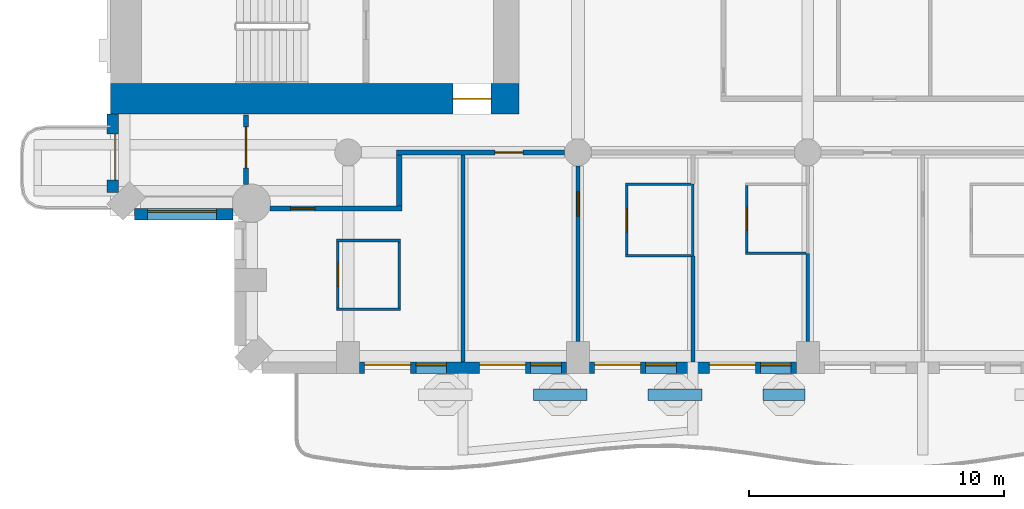
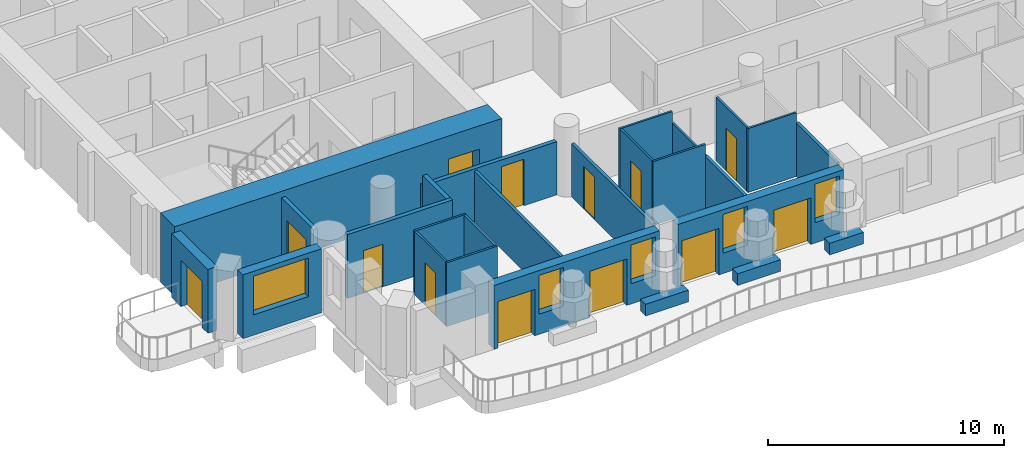
# One storey, part 3 of 20: 26 walls, 13 doors, 5 windows, 18 openings.
"""IFC4 building model written with IfcOpenShell, lengths in metres."""

from ifc_helpers import new_model, si_unit, direction, frame, frame_2d, origin, place, context, subcontext, project, spatial, rectangle, extrude, material, layer, layer_set, type_object, element, fill, save


model = new_model("IFC4")

# Units and contexts
model_context = context("Model", 3, precision=1e-05, world=origin(), true_north=direction((0.0, 1.0)))
body_context = subcontext(model_context, "Body", "Model", "MODEL_VIEW")
ifc_project = project(units=[si_unit("LENGTHUNIT", "METRE"), si_unit("AREAUNIT", "SQUARE_METRE"), si_unit("VOLUMEUNIT", "CUBIC_METRE"), si_unit("PLANEANGLEUNIT", "RADIAN"), si_unit("MASSUNIT", "GRAM", prefix="KILO")], contexts=[model_context])

# Site, building, storey
site_placement = place(None, origin())
site = spatial("IfcSite", under=ifc_project, at=site_placement, CompositionType="ELEMENT")
building_placement = place(site_placement, origin())
building = spatial("IfcBuilding", under=site, at=building_placement, Name="Cypress Arch Tower", CompositionType="ELEMENT")
storey_placement = place(building_placement, frame((0.0, 0.0, 113.10009765625)))
storey = spatial("IfcBuildingStorey", under=building, at=storey_placement, Name="L23", CompositionType="ELEMENT", Elevation=113.10009765625)

# Walls
ifc_material_1 = material(Name="Concrete C40/50, waterproofed", Category="concrete")
ifc_layer_1 = layer(ifc_material_1, 0.449951171875)
ifc_layer_set_1 = layer_set([ifc_layer_1], Name="Balcony planter wall PW450")
wall_type_1 = type_object("IfcWallType", Name="Balcony planter wall PW450", PredefinedType="SOLIDWALL", material=ifc_layer_set_1)
for number, where, z_axis, x_axis, name in (
    (1, (-13.449951171875, -27.0, 0.0), (0.0, 0.0, 1.0), (1.0, 0.0, 0.0), "Balcony planter wall L23-A03.2"),
    (2, (-8.949951171875, -27.0, 0.0), (0.0, 0.0, 1.0), (1.0, 0.0, 0.0), "Balcony planter wall L23-A03.3"),
):
    element("IfcWall", number, at=place(storey_placement, frame(where, z_axis=z_axis, x_axis=x_axis)), inside=storey, type_object=wall_type_1, Name=name, PredefinedType="SOLIDWALL", context=body_context, shape_type="SweptSolid", body=[
        extrude(rectangle(XDim=2.099853515625, YDim=0.449951171875, at=frame_2d((1.0498046875, 0.0))), origin(), (0.0, 0.0, 1.0), 0.599853515625),
    ])
wall_1_placement = place(storey_placement, frame((-4.449951171875, -27.0, 0.0), z_axis=(0.0, 0.0, 1.0), x_axis=(1.0, 0.0, 0.0)))
element("IfcWall", 3, at=wall_1_placement, inside=storey, type_object=wall_type_1, Name="Balcony planter wall L23-A03.4", PredefinedType="SOLIDWALL", context=body_context, shape_type="SweptSolid", body=[
    extrude(rectangle(XDim=1.64990234375, YDim=0.449951171875, at=frame_2d((0.824951171875, 0.0))), origin(), (0.0, 0.0, 1.0), 0.599853515625),
])

# Wall, opening, door
ifc_material_2 = material(Name="Brick (red buff blend)", Category="masonry")
ifc_layer_2 = layer(ifc_material_2, 0.449951171875)
ifc_layer_set_2 = layer_set([ifc_layer_2], Name="Brick pier and spandrel wall BW450")
wall_type_2 = type_object("IfcWallType", Name="Brick pier and spandrel wall BW450", PredefinedType="SOLIDWALL", material=ifc_layer_set_2)
wall_2_placement = place(storey_placement, frame((-29.925048828125, -16.0, 0.0), z_axis=(0.0, 0.0, 1.0), x_axis=(0.0, -1.0, 0.0)))
wall_2 = element("IfcWall", 4, at=wall_2_placement, inside=storey, type_object=wall_type_2, Name="Brick wall L23 A00.0.1", PredefinedType="SOLIDWALL", context=body_context, shape_type="SweptSolid", body=[
    extrude(rectangle(XDim=3.063720703125, YDim=0.449951171875, at=frame_2d((1.53173828125, 0.0))), origin(), (0.0, 0.0, 1.0), 3.2998046875),
])
opening_1_placement = place(wall_2_placement, frame((0.78173828125, 0.0, 0.0)))
opening_1 = element("IfcOpeningElement", 5, at=opening_1_placement, cuts=wall_2, Name="Opening D-L23-A00.0.1.9", PredefinedType="OPENING", context=body_context, shape_type="SweptSolid", body=[
    extrude(rectangle(XDim=1.800048828125, YDim=2.39990234375, at=frame_2d((0.89990234375, 1.199951171875))), frame((0.0, 0.23486328125, 0.0), z_axis=(0.0, -1.0, 0.0), x_axis=(1.0, 0.0, 0.0)), (0.0, 0.0, 1.0), 0.469970703125),
])
ifc_material_3 = material(Name="Anodised aluminium, bronze finish, laminated low-emissivity double glazing, large-missile impact rated", Category="aluminium")
door_type_1 = type_object("IfcDoorType", Name="Balcony sliding door 1800x2400", OperationType="SLIDING_TO_LEFT", PredefinedType="DOOR", material=ifc_material_3)
door_1_placement = place(opening_1_placement, origin())
door_1 = element("IfcDoor", 6, at=door_1_placement, inside=storey, type_object=door_type_1, Name="Balcony door L23 A00.0.1.9", OperationType="SLIDING_TO_LEFT", OverallHeight=2.39990234375, OverallWidth=1.800048828125, PredefinedType="DOOR", context=body_context, shape_type="SweptSolid", body=[
    extrude(rectangle(XDim=1.800048828125, YDim=2.39990234375, at=frame_2d((0.89990234375, 1.199951171875))), frame((0.0, 0.1298828125, 0.0), z_axis=(0.0, -1.0, 0.0), x_axis=(1.0, 0.0, 0.0)), (0.0, 0.0, 1.0), 0.050048828125),
])
fill(opening_1, door_1)

# Wall, opening, window
wall_3_placement = place(storey_placement, frame((-29.063720703125, -19.925048828125, 0.0), z_axis=(0.0, 0.0, 1.0), x_axis=(1.0, 0.0, 0.0)))
wall_3 = element("IfcWall", 7, at=wall_3_placement, inside=storey, type_object=wall_type_2, Name="Brick wall L23 A01.0", PredefinedType="SOLIDWALL", context=body_context, shape_type="SweptSolid", body=[
    extrude(rectangle(XDim=3.856689453125, YDim=0.449951171875, at=frame_2d((1.92822265625, 0.0))), origin(), (0.0, 0.0, 1.0), 3.2998046875),
])
opening_2_placement = place(wall_3_placement, frame((0.513671875, 0.0, 1.050048828125)))
opening_2 = element("IfcOpeningElement", 8, at=opening_2_placement, cuts=wall_3, Name="Opening W270H", PredefinedType="OPENING", context=body_context, shape_type="SweptSolid", body=[
    extrude(rectangle(XDim=2.699951171875, YDim=2.0, at=frame_2d((1.35009765625, 1.0))), frame((0.0, 0.23486328125, 0.0), z_axis=(0.0, -1.0, 0.0), x_axis=(1.0, 0.0, 0.0)), (0.0, 0.0, 1.0), 0.469970703125),
])
ifc_material_4 = material(Name="Anodised aluminium, bronze finish, clear low-emissivity double glazing", Category="aluminium")
window_type_1 = type_object("IfcWindowType", Name="Window Hotel 2700x2000", PartitioningType="SINGLE_PANEL", PredefinedType="WINDOW", material=ifc_material_4)
window_1_placement = place(opening_2_placement, origin())
window_1 = element("IfcWindow", 9, at=window_1_placement, inside=storey, type_object=window_type_1, Name="Window L23 A01.0.1", OverallHeight=2.0, OverallWidth=2.699951171875, PartitioningType="SINGLE_PANEL", PredefinedType="WINDOW", context=body_context, shape_type="SweptSolid", body=[
    extrude(rectangle(XDim=2.699951171875, YDim=2.0, at=frame_2d((1.35009765625, 1.0))), frame((0.0, 0.135009765625, 0.0), z_axis=(0.0, -1.0, 0.0), x_axis=(1.0, 0.0, 0.0)), (0.0, 0.0, 1.0), 0.06005859375),
])
fill(opening_2, window_1)

# Wall, openings, doors, windows
wall_4_placement = place(storey_placement, frame((-20.25, -25.925048828125, 0.0), z_axis=(0.0, 0.0, 1.0), x_axis=(1.0, 0.0, 0.0)))
wall_4 = element("IfcWall", 10, at=wall_4_placement, inside=storey, type_object=wall_type_2, Name="Brick wall L23 A03.1", PredefinedType="SOLIDWALL", context=body_context, shape_type="SweptSolid", body=[
    extrude(rectangle(XDim=8.10009765625, YDim=0.449951171875, at=frame_2d((4.050048828125, 0.0))), origin(), (0.0, 0.0, 1.0), 3.2998046875),
])
opening_3_placement = place(wall_4_placement, frame((0.199951171875, 0.0, 0.0)))
opening_3 = element("IfcOpeningElement", 11, at=opening_3_placement, cuts=wall_4, Name="Opening D-L23-A03.1.1", PredefinedType="OPENING", context=body_context, shape_type="SweptSolid", body=[
    extrude(rectangle(XDim=1.800048828125, YDim=2.39990234375, at=frame_2d((0.89990234375, 1.199951171875))), frame((0.0, 0.23486328125, 0.0), z_axis=(0.0, -1.0, 0.0), x_axis=(1.0, 0.0, 0.0)), (0.0, 0.0, 1.0), 0.469970703125),
])
opening_4_placement = place(wall_4_placement, frame((2.199951171875, 0.0, 1.050048828125)))
opening_4 = element("IfcOpeningElement", 12, at=opening_4_placement, cuts=wall_4, Name="Opening W120HD", PredefinedType="OPENING", context=body_context, shape_type="SweptSolid", body=[
    extrude(rectangle(XDim=1.199951171875, YDim=2.0, at=frame_2d((0.60009765625, 1.0))), frame((0.0, 0.23486328125, 0.0), z_axis=(0.0, -1.0, 0.0), x_axis=(1.0, 0.0, 0.0)), (0.0, 0.0, 1.0), 0.469970703125),
])
opening_5_placement = place(wall_4_placement, frame((4.699951171875, 0.0, 0.0)))
opening_5 = element("IfcOpeningElement", 13, at=opening_5_placement, cuts=wall_4, Name="Opening D-L23-A03.1.2", PredefinedType="OPENING", context=body_context, shape_type="SweptSolid", body=[
    extrude(rectangle(XDim=1.800048828125, YDim=2.39990234375, at=frame_2d((0.89990234375, 1.199951171875))), frame((0.0, 0.23486328125, 0.0), z_axis=(0.0, -1.0, 0.0), x_axis=(1.0, 0.0, 0.0)), (0.0, 0.0, 1.0), 0.469970703125),
])
opening_6_placement = place(wall_4_placement, frame((6.699951171875, 0.0, 1.050048828125)))
opening_6 = element("IfcOpeningElement", 14, at=opening_6_placement, cuts=wall_4, Name="Opening W120HD", PredefinedType="OPENING", context=body_context, shape_type="SweptSolid", body=[
    extrude(rectangle(XDim=1.199951171875, YDim=2.0, at=frame_2d((0.60009765625, 1.0))), frame((0.0, 0.23486328125, 0.0), z_axis=(0.0, -1.0, 0.0), x_axis=(1.0, 0.0, 0.0)), (0.0, 0.0, 1.0), 0.469970703125),
])
door_2_placement = place(opening_3_placement, origin())
door_2 = element("IfcDoor", 15, at=door_2_placement, inside=storey, type_object=door_type_1, Name="Balcony door L23 A03.1.1", OperationType="SLIDING_TO_LEFT", OverallHeight=2.39990234375, OverallWidth=1.800048828125, PredefinedType="DOOR", context=body_context, shape_type="SweptSolid", body=[
    extrude(rectangle(XDim=1.800048828125, YDim=2.39990234375, at=frame_2d((0.89990234375, 1.199951171875))), frame((0.0, 0.1298828125, 0.0), z_axis=(0.0, -1.0, 0.0), x_axis=(1.0, 0.0, 0.0)), (0.0, 0.0, 1.0), 0.050048828125),
])
fill(opening_3, door_2)
door_3_placement = place(opening_5_placement, origin())
door_3 = element("IfcDoor", 16, at=door_3_placement, inside=storey, type_object=door_type_1, Name="Balcony door L23 A03.1.2", OperationType="SLIDING_TO_LEFT", OverallHeight=2.39990234375, OverallWidth=1.800048828125, PredefinedType="DOOR", context=body_context, shape_type="SweptSolid", body=[
    extrude(rectangle(XDim=1.800048828125, YDim=2.39990234375, at=frame_2d((0.89990234375, 1.199951171875))), frame((0.0, 0.1298828125, 0.0), z_axis=(0.0, -1.0, 0.0), x_axis=(1.0, 0.0, 0.0)), (0.0, 0.0, 1.0), 0.050048828125),
])
fill(opening_5, door_3)
ifc_material_5 = material(Name="Anodised aluminium, bronze finish, laminated low-emissivity double glazing, large-missile impact rated", Category="aluminium")
window_type_2 = type_object("IfcWindowType", Name="Window Hotel 1200x2000 debris-rated", PartitioningType="SINGLE_PANEL", PredefinedType="WINDOW", material=ifc_material_5)
window_2_placement = place(opening_4_placement, origin())
window_2 = element("IfcWindow", 17, at=window_2_placement, inside=storey, type_object=window_type_2, Name="Window L23 A03.1.1", OverallHeight=2.0, OverallWidth=1.199951171875, PartitioningType="SINGLE_PANEL", PredefinedType="WINDOW", context=body_context, shape_type="SweptSolid", body=[
    extrude(rectangle(XDim=1.199951171875, YDim=2.0, at=frame_2d((0.60009765625, 1.0))), frame((0.0, 0.135009765625, 0.0), z_axis=(0.0, -1.0, 0.0), x_axis=(1.0, 0.0, 0.0)), (0.0, 0.0, 1.0), 0.06005859375),
])
fill(opening_4, window_2)
window_3_placement = place(opening_6_placement, origin())
window_3 = element("IfcWindow", 18, at=window_3_placement, inside=storey, type_object=window_type_2, Name="Window L23 A03.1.2", OverallHeight=2.0, OverallWidth=1.199951171875, PartitioningType="SINGLE_PANEL", PredefinedType="WINDOW", context=body_context, shape_type="SweptSolid", body=[
    extrude(rectangle(XDim=1.199951171875, YDim=2.0, at=frame_2d((0.60009765625, 1.0))), frame((0.0, 0.135009765625, 0.0), z_axis=(0.0, -1.0, 0.0), x_axis=(1.0, 0.0, 0.0)), (0.0, 0.0, 1.0), 0.06005859375),
])
fill(opening_6, window_3)

wall_5_placement = place(storey_placement, frame((-11.25, -25.925048828125, 0.0), z_axis=(0.0, 0.0, 1.0), x_axis=(1.0, 0.0, 0.0)))
wall_5 = element("IfcWall", 19, at=wall_5_placement, inside=storey, type_object=wall_type_2, Name="Brick wall L23 A03.2", PredefinedType="SOLIDWALL", context=body_context, shape_type="SweptSolid", body=[
    extrude(rectangle(XDim=8.10009765625, YDim=0.449951171875, at=frame_2d((4.050048828125, 0.0))), origin(), (0.0, 0.0, 1.0), 3.2998046875),
])
opening_7_placement = place(wall_5_placement, frame((0.199951171875, 0.0, 0.0)))
opening_7 = element("IfcOpeningElement", 20, at=opening_7_placement, cuts=wall_5, Name="Opening D-L23-A03.2.1", PredefinedType="OPENING", context=body_context, shape_type="SweptSolid", body=[
    extrude(rectangle(XDim=1.800048828125, YDim=2.39990234375, at=frame_2d((0.89990234375, 1.199951171875))), frame((0.0, 0.23486328125, 0.0), z_axis=(0.0, -1.0, 0.0), x_axis=(1.0, 0.0, 0.0)), (0.0, 0.0, 1.0), 0.469970703125),
])
opening_8_placement = place(wall_5_placement, frame((2.199951171875, 0.0, 1.050048828125)))
opening_8 = element("IfcOpeningElement", 21, at=opening_8_placement, cuts=wall_5, Name="Opening W120HD", PredefinedType="OPENING", context=body_context, shape_type="SweptSolid", body=[
    extrude(rectangle(XDim=1.199951171875, YDim=2.0, at=frame_2d((0.60009765625, 1.0))), frame((0.0, 0.23486328125, 0.0), z_axis=(0.0, -1.0, 0.0), x_axis=(1.0, 0.0, 0.0)), (0.0, 0.0, 1.0), 0.469970703125),
])
opening_9_placement = place(wall_5_placement, frame((4.699951171875, 0.0, 0.0)))
opening_9 = element("IfcOpeningElement", 22, at=opening_9_placement, cuts=wall_5, Name="Opening D-L23-A03.2.2", PredefinedType="OPENING", context=body_context, shape_type="SweptSolid", body=[
    extrude(rectangle(XDim=1.800048828125, YDim=2.39990234375, at=frame_2d((0.89990234375, 1.199951171875))), frame((0.0, 0.23486328125, 0.0), z_axis=(0.0, -1.0, 0.0), x_axis=(1.0, 0.0, 0.0)), (0.0, 0.0, 1.0), 0.469970703125),
])
opening_10_placement = place(wall_5_placement, frame((6.699951171875, 0.0, 1.050048828125)))
opening_10 = element("IfcOpeningElement", 23, at=opening_10_placement, cuts=wall_5, Name="Opening W120HD", PredefinedType="OPENING", context=body_context, shape_type="SweptSolid", body=[
    extrude(rectangle(XDim=1.199951171875, YDim=2.0, at=frame_2d((0.60009765625, 1.0))), frame((0.0, 0.23486328125, 0.0), z_axis=(0.0, -1.0, 0.0), x_axis=(1.0, 0.0, 0.0)), (0.0, 0.0, 1.0), 0.469970703125),
])
door_4_placement = place(opening_7_placement, origin())
door_4 = element("IfcDoor", 24, at=door_4_placement, inside=storey, type_object=door_type_1, Name="Balcony door L23 A03.2.1", OperationType="SLIDING_TO_LEFT", OverallHeight=2.39990234375, OverallWidth=1.800048828125, PredefinedType="DOOR", context=body_context, shape_type="SweptSolid", body=[
    extrude(rectangle(XDim=1.800048828125, YDim=2.39990234375, at=frame_2d((0.89990234375, 1.199951171875))), frame((0.0, 0.1298828125, 0.0), z_axis=(0.0, -1.0, 0.0), x_axis=(1.0, 0.0, 0.0)), (0.0, 0.0, 1.0), 0.050048828125),
])
fill(opening_7, door_4)
door_5_placement = place(opening_9_placement, origin())
door_5 = element("IfcDoor", 25, at=door_5_placement, inside=storey, type_object=door_type_1, Name="Balcony door L23 A03.2.2", OperationType="SLIDING_TO_LEFT", OverallHeight=2.39990234375, OverallWidth=1.800048828125, PredefinedType="DOOR", context=body_context, shape_type="SweptSolid", body=[
    extrude(rectangle(XDim=1.800048828125, YDim=2.39990234375, at=frame_2d((0.89990234375, 1.199951171875))), frame((0.0, 0.1298828125, 0.0), z_axis=(0.0, -1.0, 0.0), x_axis=(1.0, 0.0, 0.0)), (0.0, 0.0, 1.0), 0.050048828125),
])
fill(opening_9, door_5)
window_4_placement = place(opening_8_placement, origin())
window_4 = element("IfcWindow", 26, at=window_4_placement, inside=storey, type_object=window_type_2, Name="Window L23 A03.2.1", OverallHeight=2.0, OverallWidth=1.199951171875, PartitioningType="SINGLE_PANEL", PredefinedType="WINDOW", context=body_context, shape_type="SweptSolid", body=[
    extrude(rectangle(XDim=1.199951171875, YDim=2.0, at=frame_2d((0.60009765625, 1.0))), frame((0.0, 0.135009765625, 0.0), z_axis=(0.0, -1.0, 0.0), x_axis=(1.0, 0.0, 0.0)), (0.0, 0.0, 1.0), 0.06005859375),
])
fill(opening_8, window_4)
window_5_placement = place(opening_10_placement, origin())
window_5 = element("IfcWindow", 27, at=window_5_placement, inside=storey, type_object=window_type_2, Name="Window L23 A03.2.2", OverallHeight=2.0, OverallWidth=1.199951171875, PartitioningType="SINGLE_PANEL", PredefinedType="WINDOW", context=body_context, shape_type="SweptSolid", body=[
    extrude(rectangle(XDim=1.199951171875, YDim=2.0, at=frame_2d((0.60009765625, 1.0))), frame((0.0, 0.135009765625, 0.0), z_axis=(0.0, -1.0, 0.0), x_axis=(1.0, 0.0, 0.0)), (0.0, 0.0, 1.0), 0.06005859375),
])
fill(opening_10, window_5)

# Wall, opening, door
ifc_material_6 = material(Name="Concrete C80/95", Category="concrete")
ifc_layer_3 = layer(ifc_material_6, 1.199951171875)
ifc_layer_set_3 = layer_set([ifc_layer_3], Name="Core wall CW1200 C80/95")
wall_type_3 = type_object("IfcWallType", Name="Core wall CW1200 C80/95", PredefinedType="SHEAR", material=ifc_layer_set_3)
wall_6_placement = place(storey_placement, frame((-30.0, -15.39990234375, 0.0), z_axis=(0.0, 0.0, 1.0), x_axis=(1.0, 0.0, 0.0)))
wall_6 = element("IfcWall", 28, at=wall_6_placement, inside=storey, type_object=wall_type_3, Name="Core wall", PredefinedType="SHEAR", context=body_context, shape_type="SweptSolid", body=[
    extrude(rectangle(XDim=16.0, YDim=1.199951171875, at=frame_2d((8.0, 0.0))), origin(), (0.0, 0.0, 1.0), 3.599853515625),
])
opening_11_placement = place(wall_6_placement, frame((13.39990234375, 0.0, 0.0)))
opening_11 = element("IfcOpeningElement", 29, at=opening_11_placement, cuts=wall_6, Name="Opening D07", PredefinedType="OPENING", context=body_context, shape_type="SweptSolid", body=[
    extrude(rectangle(XDim=1.5, YDim=2.39990234375, at=frame_2d((0.75, 1.199951171875))), frame((0.0, 0.60986328125, 0.0), z_axis=(0.0, -1.0, 0.0), x_axis=(1.0, 0.0, 0.0)), (0.0, 0.0, 1.0), 1.219970703125),
])
ifc_material_7 = material(Name="Steel framed glazed door, fire resisting", Category="steel")
door_type_2 = type_object("IfcDoorType", Name="Lobby door D07 1500x2400", OperationType="DOUBLE_DOOR_SINGLE_SWING", PredefinedType="DOOR", material=ifc_material_7)
door_6_placement = place(opening_11_placement, origin())
door_6 = element("IfcDoor", 30, at=door_6_placement, inside=storey, type_object=door_type_2, Name="Lobby door", OperationType="DOUBLE_DOOR_SINGLE_SWING", OverallHeight=2.39990234375, OverallWidth=1.5, PredefinedType="DOOR", context=body_context, shape_type="SweptSolid", body=[
    extrude(rectangle(XDim=1.5, YDim=2.39990234375, at=frame_2d((0.75, 1.199951171875))), frame((0.0, 0.02490234375, 0.0), z_axis=(0.0, -1.0, 0.0), x_axis=(1.0, 0.0, 0.0)), (0.0, 0.0, 1.0), 0.050048828125),
])
fill(opening_11, door_6)

ifc_material_8 = material(Name="Concrete blockwork, plastered, rated", Category="masonry")
ifc_layer_4 = layer(ifc_material_8, 0.199951171875)
ifc_layer_set_4 = layer_set([ifc_layer_4], Name="Corridor wall FW200")
wall_type_4 = type_object("IfcWallType", Name="Corridor wall FW200", PredefinedType="PARTITIONING", material=ifc_layer_set_4)
wall_7_placement = place(storey_placement, frame((-24.699951171875, -18.752197265625, 0.0), z_axis=(0.0, 0.0, 1.0), x_axis=(0.0, 1.0, 0.0)))
wall_7 = element("IfcWall", 31, at=wall_7_placement, inside=storey, type_object=wall_type_4, Name="Corridor wall", PredefinedType="PARTITIONING", context=body_context, shape_type="SweptSolid", body=[
    extrude(rectangle(XDim=2.72216796875, YDim=0.199951171875, at=frame_2d((1.361083984375, 0.0))), origin(), (0.0, 0.0, 1.0), 3.2998046875),
])
opening_12_placement = place(wall_7_placement, frame((0.64990234375, 0.0, 0.0)))
opening_12 = element("IfcOpeningElement", 32, at=opening_12_placement, cuts=wall_7, Name="Opening D10", PredefinedType="OPENING", context=body_context, shape_type="SweptSolid", body=[
    extrude(rectangle(XDim=1.60009765625, YDim=2.39990234375, at=frame_2d((0.800048828125, 1.199951171875))), frame((0.0, 0.10986328125, 0.0), z_axis=(0.0, -1.0, 0.0), x_axis=(1.0, 0.0, 0.0)), (0.0, 0.0, 1.0), 0.219970703125),
])
ifc_material_9 = material(Name="Black aluminium glazed door", Category="aluminium")
door_type_3 = type_object("IfcDoorType", Name="Amenity door D10 1600x2400", OperationType="DOUBLE_DOOR_SINGLE_SWING", PredefinedType="DOOR", material=ifc_material_9)
door_7_placement = place(opening_12_placement, origin())
door_7 = element("IfcDoor", 33, at=door_7_placement, inside=storey, type_object=door_type_3, Name="Amenity door", OperationType="DOUBLE_DOOR_SINGLE_SWING", OverallHeight=2.39990234375, OverallWidth=1.60009765625, PredefinedType="DOOR", context=body_context, shape_type="SweptSolid", body=[
    extrude(rectangle(XDim=1.60009765625, YDim=2.39990234375, at=frame_2d((0.800048828125, 1.199951171875))), frame((0.0, 0.02490234375, 0.0), z_axis=(0.0, -1.0, 0.0), x_axis=(1.0, 0.0, 0.0)), (0.0, 0.0, 1.0), 0.050048828125),
])
fill(opening_12, door_7)

wall_8_placement = place(storey_placement, frame((-23.752197265625, -19.699951171875, 0.0), z_axis=(0.0, 0.0, 1.0), x_axis=(1.0, 0.0, 0.0)))
wall_8 = element("IfcWall", 34, at=wall_8_placement, inside=storey, type_object=wall_type_4, Name="Corridor wall", PredefinedType="PARTITIONING", context=body_context, shape_type="SweptSolid", body=[
    extrude(rectangle(XDim=5.152099609375, YDim=0.199951171875, at=frame_2d((2.576171875, 0.0))), origin(), (0.0, 0.0, 1.0), 3.2998046875),
])
opening_13_placement = place(wall_8_placement, frame((0.800048828125, 0.0, 0.0)))
opening_13 = element("IfcOpeningElement", 35, at=opening_13_placement, cuts=wall_8, Name="Opening D02", PredefinedType="OPENING", context=body_context, shape_type="SweptSolid", body=[
    extrude(rectangle(XDim=0.949951171875, YDim=2.199951171875, at=frame_2d((0.47509765625, 1.10009765625))), frame((0.0, 0.10986328125, 0.0), z_axis=(0.0, -1.0, 0.0), x_axis=(1.0, 0.0, 0.0)), (0.0, 0.0, 1.0), 0.219970703125),
])
ifc_material_10 = material(Name="Timber flush door, fire resisting", Category="wood")
door_type_4 = type_object("IfcDoorType", Name="Room door D02 950x2200", OperationType="SINGLE_SWING_LEFT", PredefinedType="DOOR", material=ifc_material_10)
door_8_placement = place(opening_13_placement, origin())
door_8 = element("IfcDoor", 36, at=door_8_placement, inside=storey, type_object=door_type_4, Name="Room door", OperationType="SINGLE_SWING_RIGHT", OverallHeight=2.199951171875, OverallWidth=0.949951171875, PredefinedType="DOOR", context=body_context, shape_type="SweptSolid", body=[
    extrude(rectangle(XDim=0.949951171875, YDim=2.199951171875, at=frame_2d((0.47509765625, 1.10009765625))), frame((0.0, 0.02490234375, 0.0), z_axis=(0.0, -1.0, 0.0), x_axis=(1.0, 0.0, 0.0)), (0.0, 0.0, 1.0), 0.050048828125),
])
fill(opening_13, door_8)

# Wall
wall_9_placement = place(storey_placement, frame((-18.699951171875, -19.60009765625, 0.0), z_axis=(0.0, 0.0, 1.0), x_axis=(0.0, 1.0, 0.0)))
element("IfcWall", 37, at=wall_9_placement, inside=storey, type_object=wall_type_4, Name="Corridor wall", PredefinedType="PARTITIONING", context=body_context, shape_type="SweptSolid", body=[
    extrude(rectangle(XDim=2.0, YDim=0.199951171875, at=frame_2d((1.0, 0.0))), origin(), (0.0, 0.0, 1.0), 3.2998046875),
])

# Wall, opening, door
wall_10_placement = place(storey_placement, frame((-18.800048828125, -17.5, 0.0), z_axis=(0.0, 0.0, 1.0), x_axis=(1.0, 0.0, 0.0)))
wall_10 = element("IfcWall", 38, at=wall_10_placement, inside=storey, type_object=wall_type_4, Name="Corridor wall", PredefinedType="PARTITIONING", context=body_context, shape_type="SweptSolid", body=[
    extrude(rectangle(XDim=6.574951171875, YDim=0.199951171875, at=frame_2d((3.28759765625, 0.0))), origin(), (0.0, 0.0, 1.0), 2.75),
])
opening_14_placement = place(wall_10_placement, frame((3.85009765625, 0.0, 0.0)))
opening_14 = element("IfcOpeningElement", 39, at=opening_14_placement, cuts=wall_10, Name="Opening D01", PredefinedType="OPENING", context=body_context, shape_type="SweptSolid", body=[
    extrude(rectangle(XDim=1.10009765625, YDim=2.39990234375, at=frame_2d((0.550048828125, 1.199951171875))), frame((0.0, 0.10986328125, 0.0), z_axis=(0.0, -1.0, 0.0), x_axis=(1.0, 0.0, 0.0)), (0.0, 0.0, 1.0), 0.219970703125),
])
ifc_material_11 = material(Name="Timber flush door, fire resisting, self-closing", Category="wood")
door_type_5 = type_object("IfcDoorType", Name="Unit entrance door D01 1100x2400", OperationType="SINGLE_SWING_LEFT", PredefinedType="DOOR", material=ifc_material_11)
door_9_placement = place(opening_14_placement, origin())
door_9 = element("IfcDoor", 40, at=door_9_placement, inside=storey, type_object=door_type_5, Name="Unit entrance door", OperationType="SINGLE_SWING_RIGHT", OverallHeight=2.39990234375, OverallWidth=1.10009765625, PredefinedType="DOOR", context=body_context, shape_type="SweptSolid", body=[
    extrude(rectangle(XDim=1.10009765625, YDim=2.39990234375, at=frame_2d((0.550048828125, 1.199951171875))), frame((0.0, 0.02490234375, 0.0), z_axis=(0.0, -1.0, 0.0), x_axis=(1.0, 0.0, 0.0)), (0.0, 0.0, 1.0), 0.050048828125),
])
fill(opening_14, door_9)

# Wall
ifc_material_12 = material(Name="Blockwork, plastered both sides", Category="masonry")
ifc_layer_5 = layer(ifc_material_12, 0.14990234375)
ifc_layer_set_5 = layer_set([ifc_layer_5], Name="Partition PW150")
wall_type_5 = type_object("IfcWallType", Name="Partition PW150", PredefinedType="PARTITIONING", material=ifc_layer_set_5)
wall_11_placement = place(storey_placement, frame((-16.199951171875, -25.699951171875, 0.0), z_axis=(0.0, 0.0, 1.0), x_axis=(0.0, 1.0, 0.0)))
element("IfcWall", 41, at=wall_11_placement, inside=storey, type_object=wall_type_5, Name="Partition", PredefinedType="PARTITIONING", context=body_context, shape_type="SweptSolid", body=[
    extrude(rectangle(XDim=8.099853515625, YDim=0.14990234375, at=frame_2d((4.0498046875, 0.0))), origin(), (0.0, 0.0, 1.0), 2.64990234375),
])

# Wall, opening, door
wall_12_placement = place(storey_placement, frame((-11.699951171875, -24.89990234375, 0.0), z_axis=(0.0, 0.0, 1.0), x_axis=(0.0, 1.0, 0.0)))
wall_12 = element("IfcWall", 42, at=wall_12_placement, inside=storey, type_object=wall_type_5, Name="Partition", PredefinedType="PARTITIONING", context=body_context, shape_type="SweptSolid", body=[
    extrude(rectangle(XDim=6.875, YDim=0.14990234375, at=frame_2d((3.4375, 0.0))), origin(), (0.0, 0.0, 1.0), 2.75),
])
opening_15_placement = place(wall_12_placement, frame((4.89990234375, 0.0, 0.0)))
opening_15 = element("IfcOpeningElement", 43, at=opening_15_placement, cuts=wall_12, Name="Opening D12", PredefinedType="OPENING", context=body_context, shape_type="SweptSolid", body=[
    extrude(rectangle(XDim=0.949951171875, YDim=2.199951171875, at=frame_2d((0.47509765625, 1.10009765625))), frame((0.0, 0.0849609375, 0.0), z_axis=(0.0, -1.0, 0.0), x_axis=(1.0, 0.0, 0.0)), (0.0, 0.0, 1.0), 0.169921875),
])
ifc_material_13 = material(Name="Timber flush door", Category="wood")
door_type_6 = type_object("IfcDoorType", Name="Room door D12 950x2200", OperationType="SINGLE_SWING_LEFT", PredefinedType="DOOR", material=ifc_material_13)
door_10_placement = place(opening_15_placement, origin())
door_10 = element("IfcDoor", 44, at=door_10_placement, inside=storey, type_object=door_type_6, Name="Room door", OperationType="SINGLE_SWING_RIGHT", OverallHeight=2.199951171875, OverallWidth=0.949951171875, PredefinedType="DOOR", context=body_context, shape_type="SweptSolid", body=[
    extrude(rectangle(XDim=0.949951171875, YDim=2.199951171875, at=frame_2d((0.47509765625, 1.10009765625))), frame((0.0, 0.02490234375, 0.0), z_axis=(0.0, -1.0, 0.0), x_axis=(1.0, 0.0, 0.0)), (0.0, 0.0, 1.0), 0.050048828125),
])
fill(opening_15, door_10)

# Walls
wall_13_placement = place(storey_placement, frame((-7.199951171875, -25.699951171875, 0.0), z_axis=(0.0, 0.0, 1.0), x_axis=(0.0, 1.0, 0.0)))
element("IfcWall", 45, at=wall_13_placement, inside=storey, type_object=wall_type_5, Name="Partition", PredefinedType="PARTITIONING", context=body_context, shape_type="SweptSolid", body=[
    extrude(rectangle(XDim=4.14990234375, YDim=0.14990234375, at=frame_2d((2.074951171875, 0.0))), origin(), (0.0, 0.0, 1.0), 2.64990234375),
])
wall_14_placement = place(storey_placement, frame((-2.699951171875, -24.89990234375, 0.0), z_axis=(0.0, 0.0, 1.0), x_axis=(0.0, 1.0, 0.0)))
element("IfcWall", 46, at=wall_14_placement, inside=storey, type_object=wall_type_5, Name="Partition", PredefinedType="PARTITIONING", context=body_context, shape_type="SweptSolid", body=[
    extrude(rectangle(XDim=3.449951171875, YDim=0.14990234375, at=frame_2d((1.72509765625, 0.0))), origin(), (0.0, 0.0, 1.0), 2.75),
])

# Wall, opening, door
ifc_material_14 = material(Name="Moisture resistant board on steel studs, tiled", Category="steel")
ifc_layer_6 = layer(ifc_material_14, 0.10009765625)
ifc_layer_set_6 = layer_set([ifc_layer_6], Name="Wet wall PW100")
wall_type_6 = type_object("IfcWallType", Name="Wet wall PW100", PredefinedType="PARTITIONING", material=ifc_layer_set_6)
wall_15_placement = place(storey_placement, frame((-21.10009765625, -23.60009765625, 0.0), z_axis=(0.0, 0.0, 1.0), x_axis=(0.0, 1.0, 0.0)))
wall_15 = element("IfcWall", 47, at=wall_15_placement, inside=storey, type_object=wall_type_6, Name="Wet wall", PredefinedType="PARTITIONING", context=body_context, shape_type="SweptSolid", body=[
    extrude(rectangle(XDim=2.60009765625, YDim=0.10009765625, at=frame_2d((1.300048828125, 0.0))), origin(), (0.0, 0.0, 1.0), 3.2998046875),
])
opening_16_placement = place(wall_15_placement, frame((0.85009765625, 0.0, 0.0)))
opening_16 = element("IfcOpeningElement", 48, at=opening_16_placement, cuts=wall_15, Name="Opening D03", PredefinedType="OPENING", context=body_context, shape_type="SweptSolid", body=[
    extrude(rectangle(XDim=0.89990234375, YDim=2.199951171875, at=frame_2d((0.449951171875, 1.10009765625))), frame((0.0, 0.06005859375, 0.0), z_axis=(0.0, -1.0, 0.0), x_axis=(1.0, 0.0, 0.0)), (0.0, 0.0, 1.0), 0.1201171875),
])
ifc_material_15 = material(Name="Timber flush door, moisture resistant", Category="wood")
door_type_7 = type_object("IfcDoorType", Name="Bathroom door D03 900x2200", OperationType="SINGLE_SWING_LEFT", PredefinedType="DOOR", material=ifc_material_15)
door_11_placement = place(opening_16_placement, origin())
door_11 = element("IfcDoor", 49, at=door_11_placement, inside=storey, type_object=door_type_7, Name="Bathroom door", OperationType="SINGLE_SWING_LEFT", OverallHeight=2.199951171875, OverallWidth=0.89990234375, PredefinedType="DOOR", context=body_context, shape_type="SweptSolid", body=[
    extrude(rectangle(XDim=0.89990234375, YDim=2.199951171875, at=frame_2d((0.449951171875, 1.10009765625))), frame((0.0, 0.02490234375, 0.0), z_axis=(0.0, -1.0, 0.0), x_axis=(1.0, 0.0, 0.0)), (0.0, 0.0, 1.0), 0.050048828125),
])
fill(opening_16, door_11)

# Walls
for number, where, z_axis, x_axis, name in (
    (50, (-21.14990234375, -23.64990234375, 0.0), (0.0, 0.0, 1.0), (1.0, 0.0, 0.0), "Wet wall"),
    (51, (-21.14990234375, -20.949951171875, 0.0), (0.0, 0.0, 1.0), (1.0, 0.0, 0.0), "Wet wall"),
):
    element("IfcWall", number, at=place(storey_placement, frame(where, z_axis=z_axis, x_axis=x_axis)), inside=storey, type_object=wall_type_6, Name=name, PredefinedType="PARTITIONING", context=body_context, shape_type="SweptSolid", body=[
        extrude(rectangle(XDim=2.5, YDim=0.10009765625, at=frame_2d((1.25, 0.0))), origin(), (0.0, 0.0, 1.0), 3.2998046875),
    ])
wall_16_placement = place(storey_placement, frame((-18.699951171875, -23.60009765625, 0.0), z_axis=(0.0, 0.0, 1.0), x_axis=(0.0, 1.0, 0.0)))
element("IfcWall", 52, at=wall_16_placement, inside=storey, type_object=wall_type_6, Name="Wet wall", PredefinedType="PARTITIONING", context=body_context, shape_type="SweptSolid", body=[
    extrude(rectangle(XDim=2.60009765625, YDim=0.10009765625, at=frame_2d((1.300048828125, 0.0))), origin(), (0.0, 0.0, 1.0), 3.2998046875),
])

# Wall, opening, door
wall_17_placement = place(storey_placement, frame((-9.7958984375, -21.5, 0.0), z_axis=(0.0, 0.0, 1.0), x_axis=(0.0, 1.0, 0.0)))
wall_17 = element("IfcWall", 53, at=wall_17_placement, inside=storey, type_object=wall_type_6, Name="Wet wall", PredefinedType="PARTITIONING", context=body_context, shape_type="SweptSolid", body=[
    extrude(rectangle(XDim=2.699951171875, YDim=0.10009765625, at=frame_2d((1.35009765625, 0.0))), origin(), (0.0, 0.0, 1.0), 3.2998046875),
])
opening_17_placement = place(wall_17_placement, frame((0.89990234375, 0.0, 0.0)))
opening_17 = element("IfcOpeningElement", 54, at=opening_17_placement, cuts=wall_17, Name="Opening D03", PredefinedType="OPENING", context=body_context, shape_type="SweptSolid", body=[
    extrude(rectangle(XDim=0.89990234375, YDim=2.199951171875, at=frame_2d((0.449951171875, 1.10009765625))), frame((0.0, 0.06005859375, 0.0), z_axis=(0.0, -1.0, 0.0), x_axis=(1.0, 0.0, 0.0)), (0.0, 0.0, 1.0), 0.1201171875),
])
door_12_placement = place(opening_17_placement, origin())
door_12 = element("IfcDoor", 55, at=door_12_placement, inside=storey, type_object=door_type_7, Name="Bathroom door", OperationType="SINGLE_SWING_LEFT", OverallHeight=2.199951171875, OverallWidth=0.89990234375, PredefinedType="DOOR", context=body_context, shape_type="SweptSolid", body=[
    extrude(rectangle(XDim=0.89990234375, YDim=2.199951171875, at=frame_2d((0.449951171875, 1.10009765625))), frame((0.0, 0.02490234375, 0.0), z_axis=(0.0, -1.0, 0.0), x_axis=(1.0, 0.0, 0.0)), (0.0, 0.0, 1.0), 0.050048828125),
])
fill(opening_17, door_12)

# Walls
for number, where, z_axis, x_axis, name in (
    (56, (-9.845947265625, -21.550048828125, 0.0), (0.0, 0.0, 1.0), (1.0, 0.0, 0.0), "Wet wall"),
    (57, (-9.845947265625, -18.75, 0.0), (0.0, 0.0, 1.0), (1.0, 0.0, 0.0), "Wet wall"),
):
    element("IfcWall", number, at=place(storey_placement, frame(where, z_axis=z_axis, x_axis=x_axis)), inside=storey, type_object=wall_type_6, Name=name, PredefinedType="PARTITIONING", context=body_context, shape_type="SweptSolid", body=[
        extrude(rectangle(XDim=2.571044921875, YDim=0.10009765625, at=frame_2d((1.28564453125, 0.0))), origin(), (0.0, 0.0, 1.0), 3.2998046875),
    ])
wall_18_placement = place(storey_placement, frame((-7.199951171875, -21.550048828125, 0.0), z_axis=(0.0, 0.0, 1.0), x_axis=(0.0, 1.0, 0.0)))
element("IfcWall", 58, at=wall_18_placement, inside=storey, type_object=wall_type_6, Name="Wet wall", PredefinedType="PARTITIONING", context=body_context, shape_type="SweptSolid", body=[
    extrude(rectangle(XDim=2.820068359375, YDim=0.10009765625, at=frame_2d((1.41015625, 0.0))), origin(), (0.0, 0.0, 1.0), 2.64990234375),
])

# Wall, opening, door
wall_19_placement = place(storey_placement, frame((-5.095947265625, -21.39990234375, 0.0), z_axis=(0.0, 0.0, 1.0), x_axis=(0.0, 1.0, 0.0)))
wall_19 = element("IfcWall", 59, at=wall_19_placement, inside=storey, type_object=wall_type_6, Name="Wet wall", PredefinedType="PARTITIONING", context=body_context, shape_type="SweptSolid", body=[
    extrude(rectangle(XDim=2.599853515625, YDim=0.10009765625, at=frame_2d((1.2998046875, 0.0))), origin(), (0.0, 0.0, 1.0), 3.2998046875),
])
opening_18_placement = place(wall_19_placement, frame((0.85009765625, 0.0, 0.0)))
opening_18 = element("IfcOpeningElement", 60, at=opening_18_placement, cuts=wall_19, Name="Opening D03", PredefinedType="OPENING", context=body_context, shape_type="SweptSolid", body=[
    extrude(rectangle(XDim=0.89990234375, YDim=2.199951171875, at=frame_2d((0.449951171875, 1.10009765625))), frame((0.0, 0.06005859375, 0.0), z_axis=(0.0, -1.0, 0.0), x_axis=(1.0, 0.0, 0.0)), (0.0, 0.0, 1.0), 0.1201171875),
])
door_13_placement = place(opening_18_placement, origin())
door_13 = element("IfcDoor", 61, at=door_13_placement, inside=storey, type_object=door_type_7, Name="Bathroom door", OperationType="SINGLE_SWING_LEFT", OverallHeight=2.199951171875, OverallWidth=0.89990234375, PredefinedType="DOOR", context=body_context, shape_type="SweptSolid", body=[
    extrude(rectangle(XDim=0.89990234375, YDim=2.199951171875, at=frame_2d((0.449951171875, 1.10009765625))), frame((0.0, 0.02490234375, 0.0), z_axis=(0.0, -1.0, 0.0), x_axis=(1.0, 0.0, 0.0)), (0.0, 0.0, 1.0), 0.050048828125),
])
fill(opening_18, door_13)

# Wall
wall_20_placement = place(storey_placement, frame((-5.14599609375, -21.449951171875, 0.0), z_axis=(0.0, 0.0, 1.0), x_axis=(1.0, 0.0, 0.0)))
element("IfcWall", 62, at=wall_20_placement, inside=storey, type_object=wall_type_6, Name="Wet wall", PredefinedType="PARTITIONING", context=body_context, shape_type="SweptSolid", body=[
    extrude(rectangle(XDim=2.37109375, YDim=0.10009765625, at=frame_2d((1.185546875, 0.0))), origin(), (0.0, 0.0, 1.0), 3.2998046875),
])

save(model, "model.ifc")
